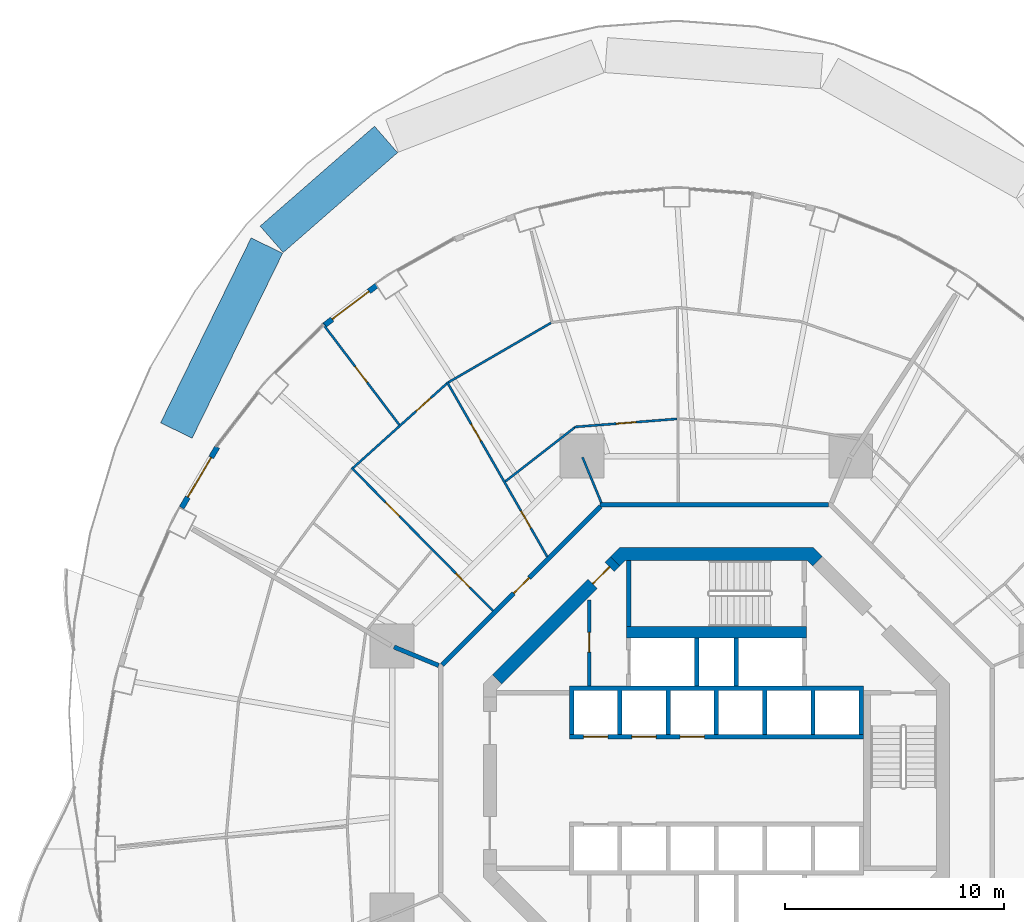
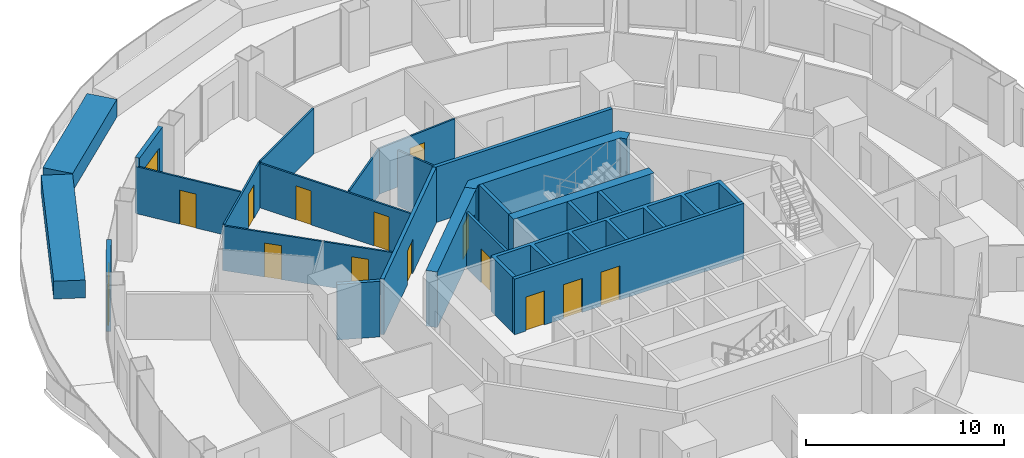
# One storey, part 15 of 20: 24 walls, 15 doors, 15 openings.
"""IFC4 building model written with IfcOpenShell, lengths in metres."""

from ifc_helpers import new_model, si_unit, direction, frame, frame_2d, origin, place, context, subcontext, project, spatial, polyline, rectangle, outline, extrude, material, layer, layer_set, type_object, element, fill, save


model = new_model("IFC4")

# Units and contexts
model_context = context("Model", 3, precision=1e-05, world=origin(), true_north=direction((0.0, 1.0)))
body_context = subcontext(model_context, "Body", "Model", "MODEL_VIEW")
ifc_project = project(units=[si_unit("LENGTHUNIT", "METRE"), si_unit("AREAUNIT", "SQUARE_METRE"), si_unit("VOLUMEUNIT", "CUBIC_METRE"), si_unit("PLANEANGLEUNIT", "RADIAN"), si_unit("MASSUNIT", "GRAM", prefix="KILO")], contexts=[model_context])

# Site, building, storey
site_placement = place(None, origin())
site = spatial("IfcSite", under=ifc_project, at=site_placement, CompositionType="ELEMENT")
building_placement = place(site_placement, origin())
building = spatial("IfcBuilding", under=site, at=building_placement, Name="Nagisa Residences", CompositionType="ELEMENT")
storey_placement = place(building_placement, frame((0.0, 0.0, 119.60009765625)))
storey = spatial("IfcBuildingStorey", under=building, at=storey_placement, Name="L29", CompositionType="ELEMENT", Elevation=119.60009765625)

# Walls
ifc_material_1 = material(Name="Gypsum board on steel studs", Category="steel")
ifc_layer_1 = layer(ifc_material_1, 0.199951171875)
ifc_layer_set_1 = layer_set([ifc_layer_1], Name="Apartment compartment wall EI60 200")
wall_type_1 = type_object("IfcWallType", Name="Apartment compartment wall EI60 200", PredefinedType="PARTITIONING", material=ifc_layer_set_1)
wall_1_placement = place(storey_placement, frame((-12.6572265625, 5.24267578125, 0.0), z_axis=(0.0, 0.0, 1.0), x_axis=(-0.923869415315, 0.382707856524, 0.0)))
element("IfcWall", 1, at=wall_1_placement, inside=storey, type_object=wall_type_1, Name="wall:L29:u02", PredefinedType="PARTITIONING", context=body_context, shape_type="SweptSolid", body=[
    extrude(rectangle(XDim=2.2001953125, YDim=0.199951171875, at=frame_2d((1.10009765625, 0.0))), origin(), (0.0, 0.0, 1.0), 3.43994140625),
])
ifc_material_2 = material(Name="Gypsum board on steel studs", Category="steel")
ifc_layer_2 = layer(ifc_material_2, 0.199951171875)
ifc_layer_set_2 = layer_set([ifc_layer_2], Name="Apartment entry wall EI60 200")
wall_type_2 = type_object("IfcWallType", Name="Apartment entry wall EI60 200", PredefinedType="PARTITIONING", material=ifc_layer_set_2)
wall_2_placement = place(storey_placement, frame((5.1044921875, 12.564697265625, 0.0), z_axis=(0.0, 0.0, 1.0), x_axis=(-1.0, 0.0, 0.0)))
element("IfcWall", 2, at=wall_2_placement, inside=storey, type_object=wall_type_2, Name="wall:L29:u08", PredefinedType="PARTITIONING", context=body_context, shape_type="SweptSolid", body=[
    extrude(rectangle(XDim=10.408935546875, YDim=0.199951171875, at=frame_2d((5.20458984375, 0.0))), origin(), (0.0, 0.0, 1.0), 3.43994140625),
])

# Wall, opening, door
wall_3_placement = place(storey_placement, frame((-5.275146484375, 12.494140625, 0.0), z_axis=(0.0, 0.0, 1.0), x_axis=(-0.707106781187, -0.707106781187, 0.0)))
wall_3 = element("IfcWall", 3, at=wall_3_placement, inside=storey, type_object=wall_type_2, Name="wall:L29:u09", PredefinedType="PARTITIONING", context=body_context, shape_type="SweptSolid", body=[
    extrude(rectangle(XDim=10.209228515625, YDim=0.199951171875, at=frame_2d((5.1044921875, 0.0))), origin(), (0.0, 0.0, 1.0), 3.43994140625),
])
opening_1_placement = place(wall_3_placement, frame((4.6044921875, 0.0, 0.0)))
opening_1 = element("IfcOpeningElement", 4, at=opening_1_placement, cuts=wall_3, Name="Opening L29-U01", PredefinedType="OPENING", context=body_context, shape_type="SweptSolid", body=[
    extrude(rectangle(XDim=1.0, YDim=2.10009765625, at=frame_2d((0.5, 1.050048828125))), frame((0.0, 0.10986328125, 0.0), z_axis=(0.0, -1.0, 0.0), x_axis=(1.0, 0.0, 0.0)), (0.0, 0.0, 1.0), 0.219970703125),
])
ifc_material_3 = material(Name="Timber fire door set", Category="wood")
door_type_1 = type_object("IfcDoorType", Name="Apartment entry door FD30S 1000x2100", OperationType="NOTDEFINED", PredefinedType="DOOR", material=ifc_material_3)
door_1_placement = place(opening_1_placement, frame((1.0, 0.0, 0.0), x_axis=(-1.0, 0.0, 0.0)))
door_1 = element("IfcDoor", 5, at=door_1_placement, inside=storey, type_object=door_type_1, Name="Entry door, Apartment 29A", OperationType="SINGLE_SWING_RIGHT", OverallHeight=2.10009765625, OverallWidth=1.0, PredefinedType="DOOR", context=body_context, shape_type="SweptSolid", body=[
    extrude(rectangle(XDim=1.0, YDim=2.10009765625, at=frame_2d((0.5, 1.050048828125))), frame((0.0, 0.02490234375, 0.0), z_axis=(0.0, -1.0, 0.0), x_axis=(1.0, 0.0, 0.0)), (0.0, 0.0, 1.0), 0.050048828125),
])
fill(opening_1, door_1)

ifc_material_4 = material(Name="Gypsum board on steel studs", Category="steel")
ifc_layer_3 = layer(ifc_material_4, 0.10009765625)
ifc_layer_set_3 = layer_set([ifc_layer_3], Name="Apartment partition 100")
wall_type_3 = type_object("IfcWallType", Name="Apartment partition 100", PredefinedType="PARTITIONING", material=ifc_layer_set_3)
wall_4_placement = place(storey_placement, frame((-1.80224609375, 16.479248046875, 0.0), z_axis=(0.0, 0.0, 1.0), x_axis=(-0.996909003513, -0.078564869469, 0.0)))
wall_4 = element("IfcWall", 6, at=wall_4_placement, inside=storey, type_object=wall_type_3, Name="wall:L29:u39", PredefinedType="PARTITIONING", context=body_context, shape_type="SweptSolid", body=[
    extrude(rectangle(XDim=4.68603515625, YDim=0.10009765625, at=frame_2d((2.343017578125, 0.0))), origin(), (0.0, 0.0, 1.0), 2.827880859375),
])
opening_2_placement = place(wall_4_placement, frame((1.867919921875, 0.0, 0.0)))
opening_2 = element("IfcOpeningElement", 7, at=opening_2_placement, cuts=wall_4, Name="Opening L29-U09", PredefinedType="OPENING", context=body_context, shape_type="SweptSolid", body=[
    extrude(rectangle(XDim=0.89990234375, YDim=2.10009765625, at=frame_2d((0.449951171875, 1.050048828125))), frame((0.0, 0.06005859375, 0.0), z_axis=(0.0, -1.0, 0.0), x_axis=(1.0, 0.0, 0.0)), (0.0, 0.0, 1.0), 0.1201171875),
])
ifc_material_5 = material(Name="Timber door set", Category="wood")
door_type_2 = type_object("IfcDoorType", Name="Apartment door 900x2100", OperationType="NOTDEFINED", PredefinedType="DOOR", material=ifc_material_5)
door_2_placement = place(opening_2_placement, origin())
door_2 = element("IfcDoor", 8, at=door_2_placement, inside=storey, type_object=door_type_2, Name="Door to store, Apartment 29A", OperationType="SINGLE_SWING_LEFT", OverallHeight=2.10009765625, OverallWidth=0.89990234375, PredefinedType="DOOR", context=body_context, shape_type="SweptSolid", body=[
    extrude(rectangle(XDim=0.89990234375, YDim=2.10009765625, at=frame_2d((0.449951171875, 1.050048828125))), frame((0.0, 0.02490234375, 0.0), z_axis=(0.0, -1.0, 0.0), x_axis=(1.0, 0.0, 0.0)), (0.0, 0.0, 1.0), 0.050048828125),
])
fill(opening_2, door_2)

# Walls
wall_5_placement = place(storey_placement, frame((-5.24267578125, 12.6572265625, 0.0), z_axis=(0.0, 0.0, 1.0), x_axis=(-0.382719158442, 0.923864733477, 0.0)))
element("IfcWall", 9, at=wall_5_placement, inside=storey, type_object=wall_type_3, Name="wall:L29:u41", PredefinedType="PARTITIONING", context=body_context, shape_type="SweptSolid", body=[
    extrude(rectangle(XDim=2.25, YDim=0.10009765625, at=frame_2d((1.125, 0.0))), origin(), (0.0, 0.0, 1.0), 3.43994140625),
])
wall_6_placement = place(storey_placement, frame((-6.46337890625, 16.084228515625, 0.0), z_axis=(0.0, 0.0, 1.0), x_axis=(-0.789457442969, -0.613805299538, 0.0)))
element("IfcWall", 10, at=wall_6_placement, inside=storey, type_object=wall_type_3, Name="wall:L29:u42", PredefinedType="PARTITIONING", context=body_context, shape_type="SweptSolid", body=[
    extrude(rectangle(XDim=3.997314453125, YDim=0.10009765625, at=frame_2d((1.99853515625, 0.0))), origin(), (0.0, 0.0, 1.0), 2.827880859375),
])
wall_7_placement = place(storey_placement, frame((-7.54296875, 20.8525390625, 0.0), z_axis=(0.0, 0.0, 1.0), x_axis=(-0.865086194899, -0.501623240485, 0.0)))
element("IfcWall", 11, at=wall_7_placement, inside=storey, type_object=wall_type_3, Name="wall:L29:u44", PredefinedType="PARTITIONING", context=body_context, shape_type="SweptSolid", body=[
    extrude(rectangle(XDim=5.39306640625, YDim=0.10009765625, at=frame_2d((2.696533203125, 0.0))), origin(), (0.0, 0.0, 1.0), 2.827880859375),
])

# Wall, openings, doors
wall_8_placement = place(storey_placement, frame((-7.707763671875, 10.197998046875, 0.0), z_axis=(0.0, 0.0, 1.0), x_axis=(-0.497449462689, 0.867492957937, 0.0)))
wall_8 = element("IfcWall", 12, at=wall_8_placement, inside=storey, type_object=wall_type_3, Name="wall:L29:u45", PredefinedType="PARTITIONING", context=body_context, shape_type="SweptSolid", body=[
    extrude(rectangle(XDim=9.1845703125, YDim=0.10009765625, at=frame_2d((4.59228515625, 0.0))), origin(), (0.0, 0.0, 1.0), 2.755859375),
])
opening_3_placement = place(wall_8_placement, frame((1.5107421875, 0.0, 0.0)))
opening_3 = element("IfcOpeningElement", 13, at=opening_3_placement, cuts=wall_8, Name="Opening L29-U02", PredefinedType="OPENING", context=body_context, shape_type="SweptSolid", body=[
    extrude(rectangle(XDim=0.89990234375, YDim=2.10009765625, at=frame_2d((0.449951171875, 1.050048828125))), frame((0.0, 0.06005859375, 0.0), z_axis=(0.0, -1.0, 0.0), x_axis=(1.0, 0.0, 0.0)), (0.0, 0.0, 1.0), 0.1201171875),
])
opening_4_placement = place(wall_8_placement, frame((6.077880859375, 0.0, 0.0)))
opening_4 = element("IfcOpeningElement", 14, at=opening_4_placement, cuts=wall_8, Name="Opening L29-U04", PredefinedType="OPENING", context=body_context, shape_type="SweptSolid", body=[
    extrude(rectangle(XDim=0.89990234375, YDim=2.10009765625, at=frame_2d((0.449951171875, 1.050048828125))), frame((0.0, 0.06005859375, 0.0), z_axis=(0.0, -1.0, 0.0), x_axis=(1.0, 0.0, 0.0)), (0.0, 0.0, 1.0), 0.1201171875),
])
door_3_placement = place(opening_3_placement, frame((0.89990234375, 0.0, 0.0), x_axis=(-1.0, 0.0, 0.0)))
door_3 = element("IfcDoor", 15, at=door_3_placement, inside=storey, type_object=door_type_2, Name="Door to store, Apartment 29A", OperationType="SINGLE_SWING_LEFT", OverallHeight=2.10009765625, OverallWidth=0.89990234375, PredefinedType="DOOR", context=body_context, shape_type="SweptSolid", body=[
    extrude(rectangle(XDim=0.89990234375, YDim=2.10009765625, at=frame_2d((0.449951171875, 1.050048828125))), frame((0.0, 0.02490234375, 0.0), z_axis=(0.0, -1.0, 0.0), x_axis=(1.0, 0.0, 0.0)), (0.0, 0.0, 1.0), 0.050048828125),
])
fill(opening_3, door_3)
door_4_placement = place(opening_4_placement, frame((0.89990234375, 0.0, 0.0), x_axis=(-1.0, 0.0, 0.0)))
door_4 = element("IfcDoor", 16, at=door_4_placement, inside=storey, type_object=door_type_2, Name="Door to dining room, Apartment 29A", OperationType="SINGLE_SWING_LEFT", OverallHeight=2.10009765625, OverallWidth=0.89990234375, PredefinedType="DOOR", context=body_context, shape_type="SweptSolid", body=[
    extrude(rectangle(XDim=0.89990234375, YDim=2.10009765625, at=frame_2d((0.449951171875, 1.050048828125))), frame((0.0, 0.02490234375, 0.0), z_axis=(0.0, -1.0, 0.0), x_axis=(1.0, 0.0, 0.0)), (0.0, 0.0, 1.0), 0.050048828125),
])
fill(opening_4, door_4)

# Wall, opening, door
wall_9_placement = place(storey_placement, frame((-12.2890625, 18.088623046875, 0.0), z_axis=(0.0, 0.0, 1.0), x_axis=(-0.743146066164, -0.669129228435, 0.0)))
wall_9 = element("IfcWall", 17, at=wall_9_placement, inside=storey, type_object=wall_type_3, Name="wall:L29:u46", PredefinedType="PARTITIONING", context=body_context, shape_type="SweptSolid", body=[
    extrude(rectangle(XDim=5.7392578125, YDim=0.10009765625, at=frame_2d((2.86962890625, 0.0))), origin(), (0.0, 0.0, 1.0), 2.827880859375),
])
opening_5_placement = place(wall_9_placement, frame((0.98486328125, 0.0, 0.0)))
opening_5 = element("IfcOpeningElement", 18, at=opening_5_placement, cuts=wall_9, Name="Opening L29-U07", PredefinedType="OPENING", context=body_context, shape_type="SweptSolid", body=[
    extrude(rectangle(XDim=0.89990234375, YDim=2.10009765625, at=frame_2d((0.449951171875, 1.050048828125))), frame((0.0, 0.06005859375, 0.0), z_axis=(0.0, -1.0, 0.0), x_axis=(1.0, 0.0, 0.0)), (0.0, 0.0, 1.0), 0.1201171875),
])
door_5_placement = place(opening_5_placement, frame((0.89990234375, 0.0, 0.0), x_axis=(-1.0, 0.0, 0.0)))
door_5 = element("IfcDoor", 19, at=door_5_placement, inside=storey, type_object=door_type_2, Name="Door to living room, Apartment 29A", OperationType="SINGLE_SWING_RIGHT", OverallHeight=2.10009765625, OverallWidth=0.89990234375, PredefinedType="DOOR", context=body_context, shape_type="SweptSolid", body=[
    extrude(rectangle(XDim=0.89990234375, YDim=2.10009765625, at=frame_2d((0.449951171875, 1.050048828125))), frame((0.0, 0.02490234375, 0.0), z_axis=(0.0, -1.0, 0.0), x_axis=(1.0, 0.0, 0.0)), (0.0, 0.0, 1.0), 0.050048828125),
])
fill(opening_5, door_5)

wall_10_placement = place(storey_placement, frame((-14.451904296875, 16.208251953125, 0.0), z_axis=(0.0, 0.0, 1.0), x_axis=(-0.603267974074, 0.797538557975, 0.0)))
wall_10 = element("IfcWall", 20, at=wall_10_placement, inside=storey, type_object=wall_type_3, Name="wall:L29:u47", PredefinedType="PARTITIONING", context=body_context, shape_type="SweptSolid", body=[
    extrude(rectangle(XDim=5.764404296875, YDim=0.10009765625, at=frame_2d((2.88232421875, 0.0))), origin(), (0.0, 0.0, 1.0), 2.90478515625),
])
opening_6_placement = place(wall_10_placement, frame((2.432373046875, 0.0, 0.0)))
opening_6 = element("IfcOpeningElement", 21, at=opening_6_placement, cuts=wall_10, Name="Opening L29-U08", PredefinedType="OPENING", context=body_context, shape_type="SweptSolid", body=[
    extrude(rectangle(XDim=0.89990234375, YDim=2.10009765625, at=frame_2d((0.449951171875, 1.050048828125))), frame((0.0, 0.06005859375, 0.0), z_axis=(0.0, -1.0, 0.0), x_axis=(1.0, 0.0, 0.0)), (0.0, 0.0, 1.0), 0.1201171875),
])
door_6_placement = place(opening_6_placement, origin())
door_6 = element("IfcDoor", 22, at=door_6_placement, inside=storey, type_object=door_type_2, Name="Door to master bedroom, Apartment 29A", OperationType="SINGLE_SWING_RIGHT", OverallHeight=2.10009765625, OverallWidth=0.89990234375, PredefinedType="DOOR", context=body_context, shape_type="SweptSolid", body=[
    extrude(rectangle(XDim=0.89990234375, YDim=2.10009765625, at=frame_2d((0.449951171875, 1.050048828125))), frame((0.0, 0.02490234375, 0.0), z_axis=(0.0, -1.0, 0.0), x_axis=(1.0, 0.0, 0.0)), (0.0, 0.0, 1.0), 0.050048828125),
])
fill(opening_6, door_6)

# Wall, openings, doors
wall_11_placement = place(storey_placement, frame((-10.181640625, 7.72900390625, 0.0), z_axis=(0.0, 0.0, 1.0), x_axis=(-0.702927211734, 0.711261790766, 0.0)))
wall_11 = element("IfcWall", 23, at=wall_11_placement, inside=storey, type_object=wall_type_3, Name="wall:L29:u48", PredefinedType="PARTITIONING", context=body_context, shape_type="SweptSolid", body=[
    extrude(rectangle(XDim=9.16845703125, YDim=0.10009765625, at=frame_2d((4.584228515625, 0.0))), origin(), (0.0, 0.0, 1.0), 2.755859375),
])
opening_7_placement = place(wall_11_placement, frame((1.50732421875, 0.0, 0.0)))
opening_7 = element("IfcOpeningElement", 24, at=opening_7_placement, cuts=wall_11, Name="Opening L29-U03", PredefinedType="OPENING", context=body_context, shape_type="SweptSolid", body=[
    extrude(rectangle(XDim=0.89990234375, YDim=2.10009765625, at=frame_2d((0.449951171875, 1.050048828125))), frame((0.0, 0.06005859375, 0.0), z_axis=(0.0, -1.0, 0.0), x_axis=(1.0, 0.0, 0.0)), (0.0, 0.0, 1.0), 0.1201171875),
])
opening_8_placement = place(wall_11_placement, frame((6.066650390625, 0.0, 0.0)))
opening_8 = element("IfcOpeningElement", 25, at=opening_8_placement, cuts=wall_11, Name="Opening L29-U05", PredefinedType="OPENING", context=body_context, shape_type="SweptSolid", body=[
    extrude(rectangle(XDim=0.89990234375, YDim=2.10009765625, at=frame_2d((0.449951171875, 1.050048828125))), frame((0.0, 0.06005859375, 0.0), z_axis=(0.0, -1.0, 0.0), x_axis=(1.0, 0.0, 0.0)), (0.0, 0.0, 1.0), 0.1201171875),
])
door_7_placement = place(opening_7_placement, origin())
door_7 = element("IfcDoor", 26, at=door_7_placement, inside=storey, type_object=door_type_2, Name="Door to family bathroom, Apartment 29A", OperationType="SINGLE_SWING_LEFT", OverallHeight=2.10009765625, OverallWidth=0.89990234375, PredefinedType="DOOR", context=body_context, shape_type="SweptSolid", body=[
    extrude(rectangle(XDim=0.89990234375, YDim=2.10009765625, at=frame_2d((0.449951171875, 1.050048828125))), frame((0.0, 0.02490234375, 0.0), z_axis=(0.0, -1.0, 0.0), x_axis=(1.0, 0.0, 0.0)), (0.0, 0.0, 1.0), 0.050048828125),
])
fill(opening_7, door_7)
door_8_placement = place(opening_8_placement, origin())
door_8 = element("IfcDoor", 27, at=door_8_placement, inside=storey, type_object=door_type_2, Name="Door to family bathroom, Apartment 29A", OperationType="SINGLE_SWING_LEFT", OverallHeight=2.10009765625, OverallWidth=0.89990234375, PredefinedType="DOOR", context=body_context, shape_type="SweptSolid", body=[
    extrude(rectangle(XDim=0.89990234375, YDim=2.10009765625, at=frame_2d((0.449951171875, 1.050048828125))), frame((0.0, 0.02490234375, 0.0), z_axis=(0.0, -1.0, 0.0), x_axis=(1.0, 0.0, 0.0)), (0.0, 0.0, 1.0), 0.050048828125),
])
fill(opening_8, door_8)

# Wall, opening, door
ifc_material_6 = material(Name="Precast concrete C40/50", Category="concrete")
ifc_layer_4 = layer(ifc_material_6, 0.25)
ifc_layer_set_4 = layer_set([ifc_layer_4], Name="BALCONY DOOR WALL 250")
wall_type_4 = type_object("IfcWallType", Name="BALCONY DOOR WALL 250", PredefinedType="SOLIDWALL", material=ifc_layer_set_4)
wall_12_placement = place(storey_placement, frame((-17.8779296875, 20.738037109375, 0.0), z_axis=(0.0, 0.0, 1.0), x_axis=(0.796022231079, 0.605267385233, 0.0)))
wall_12 = element("IfcWall", 28, at=wall_12_placement, inside=storey, type_object=wall_type_4, Name="wall:L29:bay16", PredefinedType="SOLIDWALL", context=body_context, shape_type="SweptSolid", body=[
    extrude(rectangle(XDim=3.025634765625, YDim=0.25, at=frame_2d((1.5126953125, 0.0))), origin(), (0.0, 0.0, 1.0), 3.43994140625),
])
opening_9_placement = place(wall_12_placement, frame((0.462646484375, 0.0, 0.0)))
opening_9 = element("IfcOpeningElement", 29, at=opening_9_placement, cuts=wall_12, Name="Opening BD-L29-06", PredefinedType="OPENING", context=body_context, shape_type="SweptSolid", body=[
    extrude(rectangle(XDim=2.10009765625, YDim=2.39990234375, at=frame_2d((1.050048828125, 1.199951171875))), frame((0.0, 0.135009765625, 0.0), z_axis=(0.0, -1.0, 0.0), x_axis=(1.0, 0.0, 0.0)), (0.0, 0.0, 1.0), 0.27001953125),
])
ifc_material_7 = material(Name="Aluminium and clear glass", Category="aluminium")
door_type_3 = type_object("IfcDoorType", Name="BALCONY SLIDING DOOR 2100x2400", OperationType="SLIDING_TO_LEFT", PredefinedType="DOOR", material=ifc_material_7)
door_9_placement = place(opening_9_placement, origin())
door_9 = element("IfcDoor", 30, at=door_9_placement, inside=storey, type_object=door_type_3, Name="door:L29:bay16", OperationType="SLIDING_TO_LEFT", OverallHeight=2.39990234375, OverallWidth=2.10009765625, PredefinedType="DOOR", context=body_context, shape_type="SweptSolid", body=[
    extrude(rectangle(XDim=2.10009765625, YDim=2.39990234375, at=frame_2d((1.050048828125, 1.199951171875))), frame((0.0, 0.02490234375, 0.0), z_axis=(0.0, -1.0, 0.0), x_axis=(1.0, 0.0, 0.0)), (0.0, 0.0, 1.0), 0.050048828125),
])
fill(opening_9, door_9)

wall_13_placement = place(storey_placement, frame((-24.368408203125, 12.433837890625, 0.0), z_axis=(0.0, 0.0, 1.0), x_axis=(0.506314982873, 0.862348617508, 0.0)))
wall_13 = element("IfcWall", 31, at=wall_13_placement, inside=storey, type_object=wall_type_4, Name="wall:L29:bay19", PredefinedType="SOLIDWALL", context=body_context, shape_type="SweptSolid", body=[
    extrude(rectangle(XDim=3.20849609375, YDim=0.25, at=frame_2d((1.604248046875, 0.0))), origin(), (0.0, 0.0, 1.0), 3.43994140625),
])
opening_10_placement = place(wall_13_placement, frame((0.55419921875, 0.0, 0.0)))
opening_10 = element("IfcOpeningElement", 32, at=opening_10_placement, cuts=wall_13, Name="Opening BD-L29-07", PredefinedType="OPENING", context=body_context, shape_type="SweptSolid", body=[
    extrude(rectangle(XDim=2.10009765625, YDim=2.39990234375, at=frame_2d((1.050048828125, 1.199951171875))), frame((0.0, 0.135009765625, 0.0), z_axis=(0.0, -1.0, 0.0), x_axis=(1.0, 0.0, 0.0)), (0.0, 0.0, 1.0), 0.27001953125),
])
door_10_placement = place(opening_10_placement, origin())
door_10 = element("IfcDoor", 33, at=door_10_placement, inside=storey, type_object=door_type_3, Name="door:L29:bay19", OperationType="SLIDING_TO_LEFT", OverallHeight=2.39990234375, OverallWidth=2.10009765625, PredefinedType="DOOR", context=body_context, shape_type="SweptSolid", body=[
    extrude(rectangle(XDim=2.10009765625, YDim=2.39990234375, at=frame_2d((1.050048828125, 1.199951171875))), frame((0.0, 0.02490234375, 0.0), z_axis=(0.0, -1.0, 0.0), x_axis=(1.0, 0.0, 0.0)), (0.0, 0.0, 1.0), 0.050048828125),
])
fill(opening_10, door_10)

ifc_material_8 = material(Name="Gypsum board on steel studs", Category="steel")
ifc_layer_5 = layer(ifc_material_8, 0.14990234375)
ifc_layer_set_5 = layer_set([ifc_layer_5], Name="Core partition 150")
wall_type_5 = type_object("IfcWallType", Name="Core partition 150", PredefinedType="PARTITIONING", material=ifc_layer_set_5)
wall_14_placement = place(storey_placement, frame((-5.800048828125, 4.300048828125, 0.0), z_axis=(0.0, 0.0, 1.0), x_axis=(0.0, 1.0, 0.0)))
wall_14 = element("IfcWall", 34, at=wall_14_placement, inside=storey, type_object=wall_type_5, Name="wall:L29:NWp", PredefinedType="PARTITIONING", context=body_context, shape_type="SweptSolid", body=[
    extrude(rectangle(XDim=3.927001953125, YDim=0.14990234375, at=frame_2d((1.96337890625, 0.0))), origin(), (0.0, 0.0, 1.0), 3.43994140625),
])
opening_11_placement = place(wall_14_placement, frame((1.551025390625, 0.0, 0.0)))
opening_11 = element("IfcOpeningElement", 35, at=opening_11_placement, cuts=wall_14, Name="Opening L29-C12", PredefinedType="OPENING", context=body_context, shape_type="SweptSolid", body=[
    extrude(rectangle(XDim=0.89990234375, YDim=2.10009765625, at=frame_2d((0.449951171875, 1.050048828125))), frame((0.0, 0.0849609375, 0.0), z_axis=(0.0, -1.0, 0.0), x_axis=(1.0, 0.0, 0.0)), (0.0, 0.0, 1.0), 0.169921875),
])
ifc_material_9 = material(Name="Steel fire door", Category="steel")
door_type_4 = type_object("IfcDoorType", Name="Fire door EI30 900x2100 single swing", OperationType="NOTDEFINED", PredefinedType="DOOR", material=ifc_material_9)
door_11_placement = place(opening_11_placement, origin())
door_11 = element("IfcDoor", 36, at=door_11_placement, inside=storey, type_object=door_type_4, Name="Staff WC door L29", OperationType="SINGLE_SWING_LEFT", OverallHeight=2.10009765625, OverallWidth=0.89990234375, PredefinedType="DOOR", context=body_context, shape_type="SweptSolid", body=[
    extrude(rectangle(XDim=0.89990234375, YDim=2.10009765625, at=frame_2d((0.449951171875, 1.050048828125))), frame((0.0, 0.02490234375, 0.0), z_axis=(0.0, -1.0, 0.0), x_axis=(1.0, 0.0, 0.0)), (0.0, 0.0, 1.0), 0.050048828125),
])
fill(opening_11, door_11)

ifc_material_10 = material(Name="Concrete C60", Category="concrete")
ifc_layer_6 = layer(ifc_material_10, 0.60009765625)
ifc_layer_set_6 = layer_set([ifc_layer_6], Name="Core shear wall 600")
wall_type_6 = type_object("IfcWallType", Name="Core shear wall 600", PredefinedType="SHEAR", material=ifc_layer_set_6)
wall_15_placement = place(storey_placement, frame((-4.613037109375, 9.98828125, 0.0), z_axis=(0.0, 0.0, 1.0), x_axis=(-0.707106781187, -0.707106781187, 0.0)))
wall_15 = element("IfcWall", 37, at=wall_15_placement, inside=storey, type_object=wall_type_6, Name="wall:L29:core:flat3", PredefinedType="SHEAR", context=body_context, shape_type="SweptSolid", body=[
    extrude(rectangle(XDim=7.601806640625, YDim=0.60009765625, at=frame_2d((3.80078125, 0.0))), origin(), (0.0, 0.0, 1.0), 3.43994140625),
])
opening_12_placement = place(wall_15_placement, frame((0.350830078125, 0.0, 0.0)))
opening_12 = element("IfcOpeningElement", 38, at=opening_12_placement, cuts=wall_15, Name="Opening L29-C19", PredefinedType="OPENING", context=body_context, shape_type="SweptSolid", body=[
    extrude(rectangle(XDim=1.10009765625, YDim=2.10009765625, at=frame_2d((0.550048828125, 1.050048828125))), frame((0.0, 0.31005859375, 0.0), z_axis=(0.0, -1.0, 0.0), x_axis=(1.0, 0.0, 0.0)), (0.0, 0.0, 1.0), 0.6201171875),
])
ifc_material_11 = material(Name="Steel fire door", Category="steel")
door_type_5 = type_object("IfcDoorType", Name="Fire door EI60 1100x2100 single swing", OperationType="NOTDEFINED", PredefinedType="DOOR", material=ifc_material_11)
door_12_placement = place(opening_12_placement, origin())
door_12 = element("IfcDoor", 39, at=door_12_placement, inside=storey, type_object=door_type_5, Name="Service lobby door L29", OperationType="SINGLE_SWING_RIGHT", OverallHeight=2.10009765625, OverallWidth=1.10009765625, PredefinedType="DOOR", context=body_context, shape_type="SweptSolid", body=[
    extrude(rectangle(XDim=1.10009765625, YDim=2.10009765625, at=frame_2d((0.550048828125, 1.050048828125))), frame((0.0, 0.02490234375, 0.0), z_axis=(0.0, -1.0, 0.0), x_axis=(1.0, 0.0, 0.0)), (0.0, 0.0, 1.0), 0.050048828125),
])
fill(opening_12, door_12)

# Wall
wall_16_placement = place(storey_placement, origin())
element("IfcWall", 40, at=wall_16_placement, inside=storey, type_object=wall_type_6, Name="wall:L29:core:flat2", PredefinedType="SHEAR", context=body_context, shape_type="SweptSolid", body=[
    extrude(outline(polyline([(-4.15234375, 10.024658203125), (-4.40087890625, 9.776123046875), (-4.8251953125, 10.200439453125), (-4.40087890625, 10.62451171875), (4.40087890625, 10.62451171875), (4.8251953125, 10.200439453125), (4.40087890625, 9.776123046875), (4.15234375, 10.024658203125), (-4.15234375, 10.024658203125)])), origin(), (0.0, 0.0, 1.0), 3.43994140625),
])

# Wall, openings, doors
ifc_material_12 = material(Name="Concrete C60", Category="concrete")
ifc_layer_7 = layer(ifc_material_12, 0.199951171875)
ifc_layer_set_7 = layer_set([ifc_layer_7], Name="Lift shaft wall 200")
wall_type_7 = type_object("IfcWallType", Name="Lift shaft wall 200", PredefinedType="SOLIDWALL", material=ifc_layer_set_7)
wall_17_placement = place(storey_placement, frame((-6.699951171875, 2.0, 0.0), z_axis=(0.0, 0.0, 1.0), x_axis=(1.0, 0.0, 0.0)))
wall_17 = element("IfcWall", 41, at=wall_17_placement, inside=storey, type_object=wall_type_7, Name="wall:L29:Nfront", PredefinedType="SOLIDWALL", context=body_context, shape_type="SweptSolid", body=[
    extrude(rectangle(XDim=13.39990234375, YDim=0.199951171875, at=frame_2d((6.699951171875, 0.0))), origin(), (0.0, 0.0, 1.0), 3.43994140625),
])
opening_13_placement = place(wall_17_placement, frame((0.64990234375, 0.0, 0.0)))
opening_13 = element("IfcOpeningElement", 42, at=opening_13_placement, cuts=wall_17, Name="Opening L29-C01", PredefinedType="OPENING", context=body_context, shape_type="SweptSolid", body=[
    extrude(rectangle(XDim=1.10009765625, YDim=2.10009765625, at=frame_2d((0.550048828125, 1.050048828125))), frame((0.0, 0.10986328125, 0.0), z_axis=(0.0, -1.0, 0.0), x_axis=(1.0, 0.0, 0.0)), (0.0, 0.0, 1.0), 0.219970703125),
])
opening_14_placement = place(wall_17_placement, frame((2.85009765625, 0.0, 0.0)))
opening_14 = element("IfcOpeningElement", 43, at=opening_14_placement, cuts=wall_17, Name="Opening L29-C02", PredefinedType="OPENING", context=body_context, shape_type="SweptSolid", body=[
    extrude(rectangle(XDim=1.10009765625, YDim=2.10009765625, at=frame_2d((0.550048828125, 1.050048828125))), frame((0.0, 0.10986328125, 0.0), z_axis=(0.0, -1.0, 0.0), x_axis=(1.0, 0.0, 0.0)), (0.0, 0.0, 1.0), 0.219970703125),
])
opening_15_placement = place(wall_17_placement, frame((5.050048828125, 0.0, 0.0)))
opening_15 = element("IfcOpeningElement", 44, at=opening_15_placement, cuts=wall_17, Name="Opening L29-C03", PredefinedType="OPENING", context=body_context, shape_type="SweptSolid", body=[
    extrude(rectangle(XDim=1.10009765625, YDim=2.10009765625, at=frame_2d((0.550048828125, 1.050048828125))), frame((0.0, 0.10986328125, 0.0), z_axis=(0.0, -1.0, 0.0), x_axis=(1.0, 0.0, 0.0)), (0.0, 0.0, 1.0), 0.219970703125),
])
ifc_material_13 = material(Name="Stainless steel", Category="steel")
door_type_6 = type_object("IfcDoorType", Name="Lift landing door 1100x2100", OperationType="DOUBLE_DOOR_SLIDING", PredefinedType="DOOR", material=ifc_material_13)
door_13_placement = place(opening_13_placement, origin())
door_13 = element("IfcDoor", 45, at=door_13_placement, inside=storey, type_object=door_type_6, Name="Landing door A1 L29", OperationType="DOUBLE_DOOR_SLIDING", OverallHeight=2.10009765625, OverallWidth=1.10009765625, PredefinedType="DOOR", context=body_context, shape_type="SweptSolid", body=[
    extrude(rectangle(XDim=1.10009765625, YDim=2.10009765625, at=frame_2d((0.550048828125, 1.050048828125))), frame((0.0, 0.02490234375, 0.0), z_axis=(0.0, -1.0, 0.0), x_axis=(1.0, 0.0, 0.0)), (0.0, 0.0, 1.0), 0.050048828125),
])
fill(opening_13, door_13)
door_14_placement = place(opening_14_placement, origin())
door_14 = element("IfcDoor", 46, at=door_14_placement, inside=storey, type_object=door_type_6, Name="Landing door A2 L29", OperationType="DOUBLE_DOOR_SLIDING", OverallHeight=2.10009765625, OverallWidth=1.10009765625, PredefinedType="DOOR", context=body_context, shape_type="SweptSolid", body=[
    extrude(rectangle(XDim=1.10009765625, YDim=2.10009765625, at=frame_2d((0.550048828125, 1.050048828125))), frame((0.0, 0.02490234375, 0.0), z_axis=(0.0, -1.0, 0.0), x_axis=(1.0, 0.0, 0.0)), (0.0, 0.0, 1.0), 0.050048828125),
])
fill(opening_14, door_14)
door_15_placement = place(opening_15_placement, origin())
door_15 = element("IfcDoor", 47, at=door_15_placement, inside=storey, type_object=door_type_6, Name="Landing door A3 L29", OperationType="DOUBLE_DOOR_SLIDING", OverallHeight=2.10009765625, OverallWidth=1.10009765625, PredefinedType="DOOR", context=body_context, shape_type="SweptSolid", body=[
    extrude(rectangle(XDim=1.10009765625, YDim=2.10009765625, at=frame_2d((0.550048828125, 1.050048828125))), frame((0.0, 0.02490234375, 0.0), z_axis=(0.0, -1.0, 0.0), x_axis=(1.0, 0.0, 0.0)), (0.0, 0.0, 1.0), 0.050048828125),
])
fill(opening_15, door_15)

# Walls
for number, where, z_axis, x_axis, name in (
    (48, (-0.89990234375, 4.300048828125, 0.0), (0.0, 0.0, 1.0), (0.0, 1.0, 0.0), "wall:L29:Nb1"),
    (49, (0.89990234375, 4.300048828125, 0.0), (0.0, 0.0, 1.0), (0.0, 1.0, 0.0), "wall:L29:Nb2"),
):
    element("IfcWall", number, at=place(storey_placement, frame(where, z_axis=z_axis, x_axis=x_axis)), inside=storey, type_object=wall_type_7, Name=name, PredefinedType="SOLIDWALL", context=body_context, shape_type="SweptSolid", body=[
        extrude(rectangle(XDim=2.199951171875, YDim=0.199951171875, at=frame_2d((1.10009765625, 0.0))), origin(), (0.0, 0.0, 1.0), 3.43994140625),
    ])
wall_18_placement = place(storey_placement, origin())
element("IfcWall", 50, at=wall_18_placement, inside=storey, type_object=wall_type_7, Name="wall:L29:Nback", PredefinedType="SOLIDWALL", context=body_context, shape_type="SweptSolid", body=[
    extrude(outline(polyline([(-6.5, 2.10009765625), (-6.699951171875, 2.10009765625), (-6.699951171875, 4.300048828125), (6.699951171875, 4.300048828125), (6.699951171875, 2.10009765625), (6.5, 2.10009765625), (6.5, 4.10009765625), (4.5, 4.10009765625), (4.5, 2.10009765625), (4.300048828125, 2.10009765625), (4.300048828125, 4.10009765625), (2.300048828125, 4.10009765625), (2.300048828125, 2.10009765625), (2.10009765625, 2.10009765625), (2.10009765625, 4.10009765625), (0.10009765625, 4.10009765625), (0.10009765625, 2.10009765625), (-0.10009765625, 2.10009765625), (-0.10009765625, 4.10009765625), (-2.10009765625, 4.10009765625), (-2.10009765625, 2.10009765625), (-2.300048828125, 2.10009765625), (-2.300048828125, 4.10009765625), (-4.300048828125, 4.10009765625), (-4.300048828125, 2.10009765625), (-4.5, 2.10009765625), (-4.5, 4.10009765625), (-6.5, 4.10009765625), (-6.5, 2.10009765625)])), origin(), (0.0, 0.0, 1.0), 3.43994140625),
])
ifc_material_14 = material(Name="Precast concrete C30/37", Category="concrete")
ifc_layer_8 = layer(ifc_material_14, 1.60009765625)
ifc_layer_set_8 = layer_set([ifc_layer_8], Name="PLANTER")
wall_type_8 = type_object("IfcWallType", Name="PLANTER", PredefinedType="SOLIDWALL", material=ifc_layer_set_8)
wall_19_placement = place(storey_placement, frame((-24.611572265625, 15.94970703125, 0.0), z_axis=(0.0, 0.0, 1.0), x_axis=(0.439706021751, 0.898141756314, 0.0)))
element("IfcWall", 51, at=wall_19_placement, inside=storey, type_object=wall_type_8, Name="planter:L29:garden001", PredefinedType="SOLIDWALL", context=body_context, shape_type="SweptSolid", body=[
    extrude(rectangle(XDim=9.38525390625, YDim=1.60009765625, at=frame_2d((4.692626953125, 0.0))), origin(), (0.0, 0.0, 1.0), 1.099853515625),
])
wall_20_placement = place(storey_placement, frame((-20.268798828125, 24.660888671875, 0.0), z_axis=(0.0, 0.0, 1.0), x_axis=(0.753205457943, 0.657785328299, 0.0)))
element("IfcWall", 52, at=wall_20_placement, inside=storey, type_object=wall_type_8, Name="planter:L29:garden002", PredefinedType="SOLIDWALL", context=body_context, shape_type="SweptSolid", body=[
    extrude(rectangle(XDim=6.923583984375, YDim=1.60009765625, at=frame_2d((3.4619140625, 0.0))), origin(), (0.0, 0.0, 1.0), 1.099853515625),
])
ifc_material_15 = material(Name="Concrete C60", Category="concrete")
ifc_layer_9 = layer(ifc_material_15, 0.199951171875)
ifc_layer_set_9 = layer_set([ifc_layer_9], Name="Stair enclosure wall 200")
wall_type_9 = type_object("IfcWallType", Name="Stair enclosure wall 200", PredefinedType="SOLIDWALL", material=ifc_layer_set_9)
wall_21_placement = place(storey_placement, origin())
element("IfcWall", 53, at=wall_21_placement, inside=storey, type_object=wall_type_9, Name="wall:L29:SN_w", PredefinedType="SOLIDWALL", context=body_context, shape_type="SweptSolid", body=[
    extrude(outline(polyline([(-3.89990234375, 7.024658203125), (-4.10009765625, 7.024658203125), (-4.10009765625, 10.024658203125), (-3.89990234375, 10.024658203125), (-3.89990234375, 7.024658203125)])), origin(), (0.0, 0.0, 1.0), 3.43994140625),
])
wall_22_placement = place(storey_placement, origin())
element("IfcWall", 54, at=wall_22_placement, inside=storey, type_object=wall_type_9, Name="wall:L29:SN_s", PredefinedType="SOLIDWALL", context=body_context, shape_type="SweptSolid", body=[
    extrude(outline(polyline([(4.10009765625, 6.5), (-4.10009765625, 6.5), (-4.10009765625, 7.024658203125), (4.10009765625, 7.024658203125), (4.10009765625, 6.5)])), origin(), (0.0, 0.0, 1.0), 3.43994140625),
])

save(model, "model.ifc")
